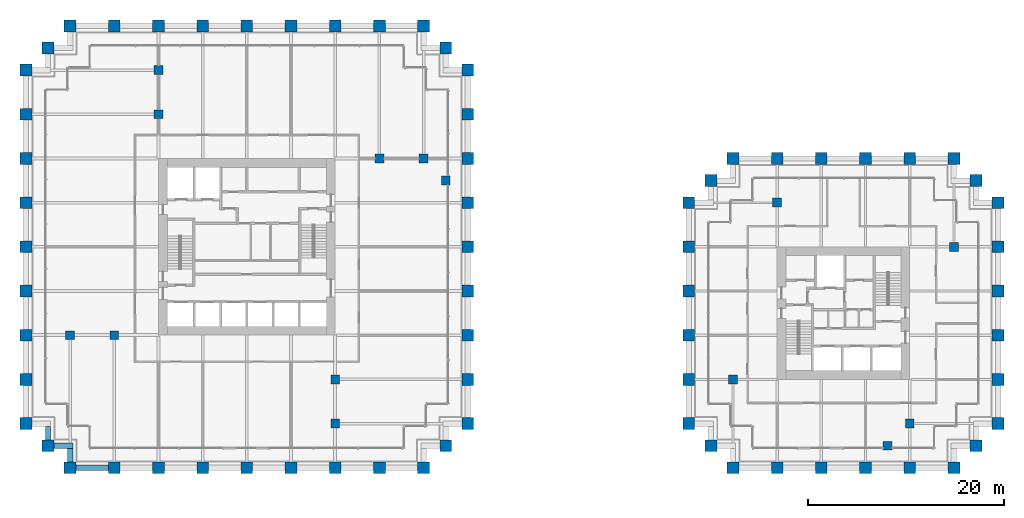
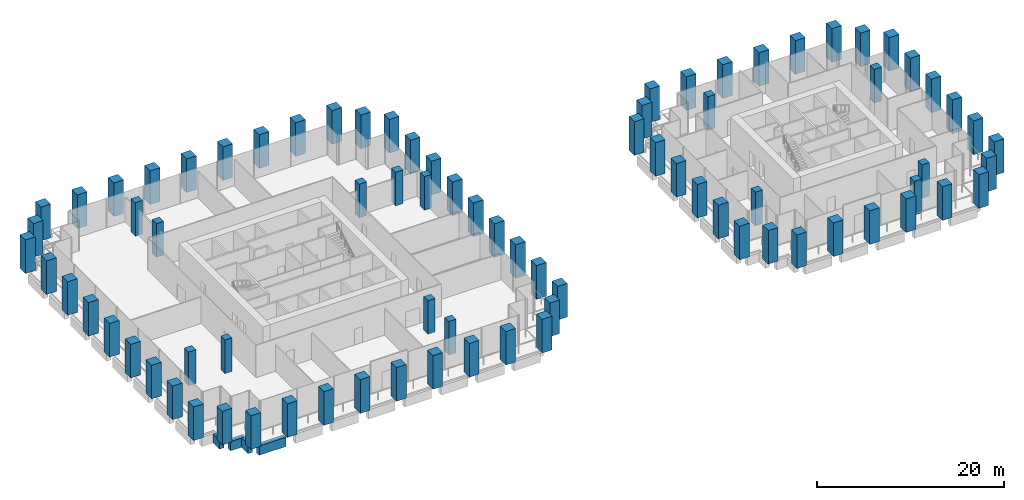
# One storey, part 1 of 36: 82 columns, 4 beams.
"""IFC4 building model written with IfcOpenShell, lengths in metres."""

from ifc_helpers import new_model, si_unit, direction, frame, origin, origin_2d, place, context, subcontext, project, spatial, rectangle, extrude, material, material_profile, profile_set, type_object, element, save


model = new_model("IFC4")

# Units and contexts
model_context = context("Model", 3, precision=1e-05, world=origin(), true_north=direction((0.0, 1.0)))
body_context = subcontext(model_context, "Body", "Model", "MODEL_VIEW")
ifc_project = project(units=[si_unit("LENGTHUNIT", "METRE"), si_unit("AREAUNIT", "SQUARE_METRE"), si_unit("VOLUMEUNIT", "CUBIC_METRE"), si_unit("PLANEANGLEUNIT", "RADIAN"), si_unit("MASSUNIT", "GRAM", prefix="KILO")], contexts=[model_context])

# Site, building, storey
site_placement = place(None, origin())
site = spatial("IfcSite", under=ifc_project, at=site_placement, CompositionType="ELEMENT")
building_placement = place(site_placement, origin())
building = spatial("IfcBuilding", under=site, at=building_placement, Name="Altepetl Exchange Towers", CompositionType="ELEMENT")
storey_placement = place(building_placement, frame((0.0, 0.0, 34.199951171875)))
storey = spatial("IfcBuildingStorey", under=building, at=storey_placement, Name="L07", CompositionType="ELEMENT", Elevation=34.199951171875)

# Columns
ifc_material_1 = material(Name="Concrete C70/85", Category="concrete")
ifc_material_profile_1 = material_profile(ifc_material_1, rectangle(XDim=0.89990234375, YDim=0.89990234375, at=origin_2d()), Name="900 x 900")
ifc_profile_set_1 = profile_set([ifc_material_profile_1], Name="Concrete C70/85")
column_type_1 = type_object("IfcColumnType", Name="Interior column 900", PredefinedType="COLUMN", material=ifc_profile_set_1)
for number, where, name in (
    (1, (31.5, 40.5, 0.0), "col:A:L07:040"),
    (2, (36.0, 40.5, 0.0), "col:A:L07:041"),
    (3, (40.5, 63.0, 0.0), "col:A:L07:042"),
    (4, (40.5, 67.5, 0.0), "col:A:L07:043"),
    (5, (58.5, 31.5, 0.0), "col:A:L07:044"),
    (6, (58.5, 36.0, 0.0), "col:A:L07:045"),
    (7, (63.0, 58.5, 0.0), "col:A:L07:046"),
    (8, (67.5, 58.5, 0.0), "col:A:L07:047"),
    (9, (69.75, 56.25, 0.0), "col:A:L07:048"),
    (10, (99.0, 36.0, 0.0), "col:B:L07:028"),
    (11, (103.5, 54.0, 0.0), "col:B:L07:029"),
    (12, (114.75, 29.25, 0.0), "col:B:L07:030"),
    (13, (117.0, 31.5, 0.0), "col:B:L07:031"),
    (14, (121.5, 49.5, 0.0), "col:B:L07:032"),
):
    element("IfcColumn", number, at=place(storey_placement, frame(where)), inside=storey, type_object=column_type_1, Name=name, PredefinedType="COLUMN", context=body_context, shape_type="SweptSolid", body=[
        extrude(rectangle(XDim=0.89990234375, YDim=0.89990234375, at=origin_2d()), origin(), (0.0, 0.0, 1.0), 4.400146484375),
    ])
ifc_material_2 = material(Name="Concrete C70/85 precast with cantera amarilla facing", Category="concrete")
ifc_material_profile_2 = material_profile(ifc_material_2, rectangle(XDim=1.199951171875, YDim=1.199951171875, at=origin_2d()), Name="1200 x 1200")
ifc_profile_set_2 = profile_set([ifc_material_profile_2], Name="Concrete C70/85 precast with cantera amarilla facing")
column_type_2 = type_object("IfcColumnType", Name="Perimeter column 1200 cantera amarilla", PredefinedType="COLUMN", material=ifc_profile_set_2)
for number, where, name in (
    (15, (58.5, 27.0, 0.0), "col:A:L07:006"),
    (16, (63.0, 27.0, 0.0), "col:A:L07:007"),
    (17, (67.5, 27.0, 0.0), "col:A:L07:008"),
    (18, (69.75, 29.25, 0.0), "col:A:L07:009"),
    (19, (72.0, 31.5, 0.0), "col:A:L07:010"),
    (20, (72.0, 36.0, 0.0), "col:A:L07:011"),
    (21, (72.0, 40.5, 0.0), "col:A:L07:012"),
    (22, (72.0, 45.0, 0.0), "col:A:L07:013"),
    (23, (72.0, 49.5, 0.0), "col:A:L07:014"),
    (24, (72.0, 54.0, 0.0), "col:A:L07:015"),
    (25, (126.0, 49.5, 0.0), "col:B:L07:011"),
    (26, (126.0, 54.0, 0.0), "col:B:L07:012"),
    (27, (123.75, 56.25, 0.0), "col:B:L07:013"),
    (28, (121.5, 58.5, 0.0), "col:B:L07:014"),
    (29, (117.0, 58.5, 0.0), "col:B:L07:015"),
    (30, (112.5, 58.5, 0.0), "col:B:L07:016"),
    (31, (108.0, 58.5, 0.0), "col:B:L07:017"),
):
    element("IfcColumn", number, at=place(storey_placement, frame(where)), inside=storey, type_object=column_type_2, Name=name, PredefinedType="COLUMN", context=body_context, shape_type="SweptSolid", body=[
        extrude(rectangle(XDim=1.199951171875, YDim=1.199951171875, at=origin_2d()), origin(), (0.0, 0.0, 1.0), 4.400146484375),
    ])
ifc_material_3 = material(Name="Concrete C70/85 precast with cantera blanca facing", Category="concrete")
ifc_material_profile_3 = material_profile(ifc_material_3, rectangle(XDim=1.199951171875, YDim=1.199951171875, at=origin_2d()), Name="1200 x 1200")
ifc_profile_set_3 = profile_set([ifc_material_profile_3], Name="Concrete C70/85 precast with cantera blanca facing")
column_type_3 = type_object("IfcColumnType", Name="Perimeter column 1200 cantera blanca", PredefinedType="COLUMN", material=ifc_profile_set_3)
for number, where, name in (
    (32, (31.5, 27.0, 0.0), "col:A:L07:000"),
    (33, (36.0, 27.0, 0.0), "col:A:L07:001"),
    (34, (40.5, 27.0, 0.0), "col:A:L07:002"),
    (35, (45.0, 27.0, 0.0), "col:A:L07:003"),
    (36, (49.5, 27.0, 0.0), "col:A:L07:004"),
    (37, (54.0, 27.0, 0.0), "col:A:L07:005"),
    (38, (27.0, 36.0, 0.0), "col:A:L07:037"),
    (39, (27.0, 31.5, 0.0), "col:A:L07:038"),
    (40, (29.25, 29.25, 0.0), "col:A:L07:039"),
    (41, (117.0, 27.0, 0.0), "col:B:L07:004"),
    (42, (121.5, 27.0, 0.0), "col:B:L07:005"),
    (43, (123.75, 29.25, 0.0), "col:B:L07:006"),
    (44, (126.0, 31.5, 0.0), "col:B:L07:007"),
    (45, (126.0, 36.0, 0.0), "col:B:L07:008"),
    (46, (126.0, 40.5, 0.0), "col:B:L07:009"),
    (47, (126.0, 45.0, 0.0), "col:B:L07:010"),
):
    element("IfcColumn", number, at=place(storey_placement, frame(where)), inside=storey, type_object=column_type_3, Name=name, PredefinedType="COLUMN", context=body_context, shape_type="SweptSolid", body=[
        extrude(rectangle(XDim=1.199951171875, YDim=1.199951171875, at=origin_2d()), origin(), (0.0, 0.0, 1.0), 4.400146484375),
    ])
ifc_material_4 = material(Name="Concrete C70/85 precast with cantera rosa facing", Category="concrete")
ifc_material_profile_4 = material_profile(ifc_material_4, rectangle(XDim=1.199951171875, YDim=1.199951171875, at=origin_2d()), Name="1200 x 1200")
ifc_profile_set_4 = profile_set([ifc_material_profile_4], Name="Concrete C70/85 precast with cantera rosa facing")
column_type_4 = type_object("IfcColumnType", Name="Perimeter column 1200 cantera rosa", PredefinedType="COLUMN", material=ifc_profile_set_4)
for number, where, name in (
    (48, (72.0, 58.5, 0.0), "col:A:L07:016"),
    (49, (72.0, 63.0, 0.0), "col:A:L07:017"),
    (50, (72.0, 67.5, 0.0), "col:A:L07:018"),
    (51, (69.75, 69.75, 0.0), "col:A:L07:019"),
    (52, (67.5, 72.0, 0.0), "col:A:L07:020"),
    (53, (63.0, 72.0, 0.0), "col:A:L07:021"),
    (54, (58.5, 72.0, 0.0), "col:A:L07:022"),
    (55, (54.0, 72.0, 0.0), "col:A:L07:023"),
    (56, (49.5, 72.0, 0.0), "col:A:L07:024"),
    (57, (45.0, 72.0, 0.0), "col:A:L07:025"),
    (58, (103.5, 58.5, 0.0), "col:B:L07:018"),
    (59, (99.0, 58.5, 0.0), "col:B:L07:019"),
    (60, (96.75, 56.25, 0.0), "col:B:L07:020"),
    (61, (94.5, 54.0, 0.0), "col:B:L07:021"),
    (62, (94.5, 49.5, 0.0), "col:B:L07:022"),
    (63, (94.5, 45.0, 0.0), "col:B:L07:023"),
    (64, (94.5, 40.5, 0.0), "col:B:L07:024"),
    (65, (94.5, 36.0, 0.0), "col:B:L07:025"),
):
    element("IfcColumn", number, at=place(storey_placement, frame(where)), inside=storey, type_object=column_type_4, Name=name, PredefinedType="COLUMN", context=body_context, shape_type="SweptSolid", body=[
        extrude(rectangle(XDim=1.199951171875, YDim=1.199951171875, at=origin_2d()), origin(), (0.0, 0.0, 1.0), 4.400146484375),
    ])
ifc_material_5 = material(Name="Concrete C70/85 precast with tezontle facing", Category="concrete")
ifc_material_profile_5 = material_profile(ifc_material_5, rectangle(XDim=1.199951171875, YDim=1.199951171875, at=origin_2d()), Name="1200 x 1200")
ifc_profile_set_5 = profile_set([ifc_material_profile_5], Name="Concrete C70/85 precast with tezontle facing")
column_type_5 = type_object("IfcColumnType", Name="Perimeter column 1200 tezontle", PredefinedType="COLUMN", material=ifc_profile_set_5)
for number, where, name in (
    (66, (40.5, 72.0, 0.0), "col:A:L07:026"),
    (67, (36.0, 72.0, 0.0), "col:A:L07:027"),
    (68, (31.5, 72.0, 0.0), "col:A:L07:028"),
    (69, (29.25, 69.75, 0.0), "col:A:L07:029"),
    (70, (27.0, 67.5, 0.0), "col:A:L07:030"),
    (71, (27.0, 63.0, 0.0), "col:A:L07:031"),
    (72, (27.0, 58.5, 0.0), "col:A:L07:032"),
    (73, (27.0, 54.0, 0.0), "col:A:L07:033"),
    (74, (27.0, 49.5, 0.0), "col:A:L07:034"),
    (75, (27.0, 45.0, 0.0), "col:A:L07:035"),
    (76, (27.0, 40.5, 0.0), "col:A:L07:036"),
    (77, (99.0, 27.0, 0.0), "col:B:L07:000"),
    (78, (103.5, 27.0, 0.0), "col:B:L07:001"),
    (79, (108.0, 27.0, 0.0), "col:B:L07:002"),
    (80, (112.5, 27.0, 0.0), "col:B:L07:003"),
    (81, (94.5, 31.5, 0.0), "col:B:L07:026"),
    (82, (96.75, 29.25, 0.0), "col:B:L07:027"),
):
    element("IfcColumn", number, at=place(storey_placement, frame(where)), inside=storey, type_object=column_type_5, Name=name, PredefinedType="COLUMN", context=body_context, shape_type="SweptSolid", body=[
        extrude(rectangle(XDim=1.199951171875, YDim=1.199951171875, at=origin_2d()), origin(), (0.0, 0.0, 1.0), 4.400146484375),
    ])

# Beams
ifc_material_6 = material(Name="Concrete C50/60 precast with cantera blanca facing", Category="concrete")
ifc_material_profile_6 = material_profile(ifc_material_6, rectangle(XDim=0.550048828125, YDim=1.199951171875, at=origin_2d()), Name="550 x 1200")
ifc_profile_set_6 = profile_set([ifc_material_profile_6], Name="Concrete C50/60 precast with cantera blanca facing")
beam_type = type_object("IfcBeamType", Name="Spandrel beam 550x1200 cantera blanca", PredefinedType="SPANDREL", material=ifc_profile_set_6)
beam_1_placement = place(storey_placement, frame((32.10009765625, 27.0, -0.77490234375), z_axis=(1.0, 0.0, 0.0), x_axis=(0.0, 1.0, 0.0)))
element("IfcBeam", 83, at=beam_1_placement, inside=storey, type_object=beam_type, Name="sp:A:L07:000", PredefinedType="SPANDREL", context=body_context, shape_type="SweptSolid", body=[
    extrude(rectangle(XDim=0.550048828125, YDim=1.199951171875, at=origin_2d()), origin(), (0.0, 0.0, 1.0), 3.2998046875),
])
beam_2_placement = place(storey_placement, frame((29.25, 31.22509765625, -0.77490234375), z_axis=(0.0, -1.0, 0.0), x_axis=(1.0, 0.0, 0.0)))
element("IfcBeam", 84, at=beam_2_placement, inside=storey, type_object=beam_type, Name="sp:A:L07:045", PredefinedType="SPANDREL", context=body_context, shape_type="SweptSolid", body=[
    extrude(rectangle(XDim=0.550048828125, YDim=1.199951171875, at=origin_2d()), origin(), (0.0, 0.0, 1.0), 1.375),
])
beam_3_placement = place(storey_placement, frame((29.85009765625, 29.25, -0.77490234375), z_axis=(1.0, 0.0, 0.0), x_axis=(0.0, 1.0, 0.0)))
element("IfcBeam", 85, at=beam_3_placement, inside=storey, type_object=beam_type, Name="sp:A:L07:046", PredefinedType="SPANDREL", context=body_context, shape_type="SweptSolid", body=[
    extrude(rectangle(XDim=0.550048828125, YDim=1.199951171875, at=origin_2d()), origin(), (0.0, 0.0, 1.0), 1.9248046875),
])
beam_4_placement = place(storey_placement, frame((31.5, 28.97509765625, -0.77490234375), z_axis=(0.0, -1.0, 0.0), x_axis=(1.0, 0.0, 0.0)))
element("IfcBeam", 86, at=beam_4_placement, inside=storey, type_object=beam_type, Name="sp:A:L07:047", PredefinedType="SPANDREL", context=body_context, shape_type="SweptSolid", body=[
    extrude(rectangle(XDim=0.550048828125, YDim=1.199951171875, at=origin_2d()), origin(), (0.0, 0.0, 1.0), 1.375),
])

save(model, "model.ifc")
